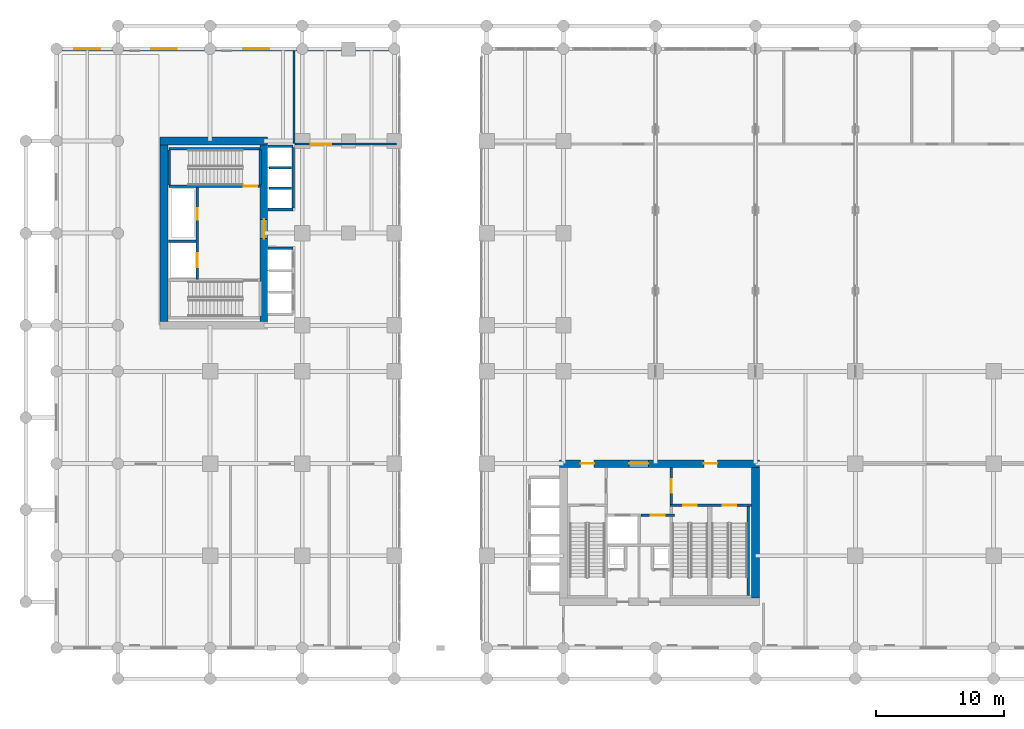
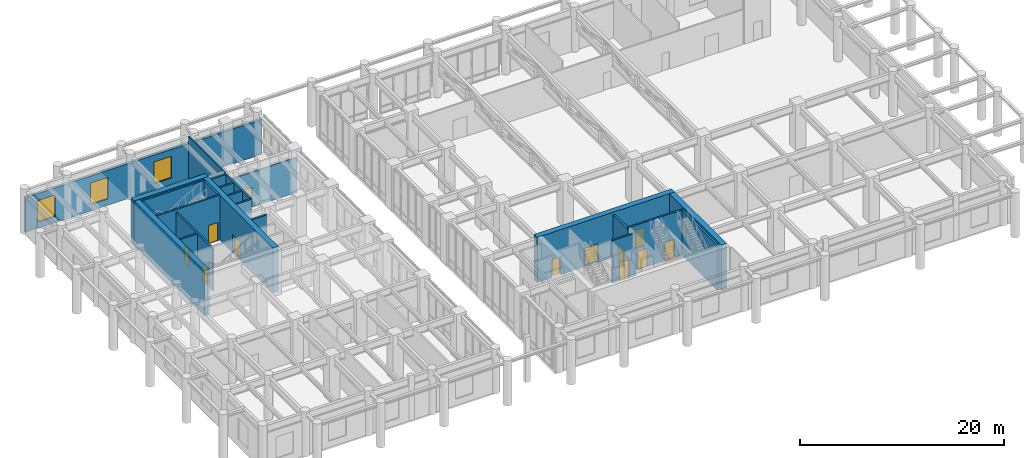
# One storey, part 18 of 24: 24 walls, 12 doors, 3 windows, 15 openings.
"""IFC4 building model written with IfcOpenShell, lengths in metres."""

from ifc_helpers import new_model, si_unit, derived_unit, direction, frame, frame_2d, origin, place, context, subcontext, project, spatial, rectangle, extrude, source, transform, mapped, material, layer, layer_set, type_object, type_shapes, element, fill, save


model = new_model("IFC4")

# Units and contexts
model_context = context("Model", 3, precision=1e-05, world=origin(), true_north=direction((0.0, 1.0)))
body_context = subcontext(model_context, "Body", "Model", "MODEL_VIEW")
ifc_project = project(units=[si_unit("LENGTHUNIT", "METRE"), si_unit("AREAUNIT", "SQUARE_METRE"), si_unit("VOLUMEUNIT", "CUBIC_METRE"), si_unit("PLANEANGLEUNIT", "RADIAN"), si_unit("MASSUNIT", "GRAM", prefix="KILO"), si_unit("THERMODYNAMICTEMPERATUREUNIT", "KELVIN"), si_unit("POWERUNIT", "WATT"), derived_unit("THERMALTRANSMITTANCEUNIT", [(si_unit("POWERUNIT", "WATT"), 1), (si_unit("AREAUNIT", "SQUARE_METRE"), -1), (si_unit("THERMODYNAMICTEMPERATUREUNIT", "KELVIN"), -1)])], contexts=[model_context])

# Site, building, storey
site_placement = place(None, origin())
site = spatial("IfcSite", under=ifc_project, at=site_placement, CompositionType="ELEMENT")
building_placement = place(site_placement, origin())
building = spatial("IfcBuilding", under=site, at=building_placement, Name="Zahravan Archway Hotel and Residences", CompositionType="ELEMENT")
storey_placement = place(building_placement, frame((0.0, 0.0, 10.800048828125)))
storey = spatial("IfcBuildingStorey", under=building, at=storey_placement, Name="L02", CompositionType="ELEMENT", Elevation=10.800048828125)

# Wall, openings, doors
ifc_material_1 = material(Name="Concrete C70/85", Category="concrete")
ifc_layer_1 = layer(ifc_material_1, 0.60009765625, Name="Concrete C70/85", Category="concrete")
ifc_layer_set_1 = layer_set([ifc_layer_1], Name="Concrete C70/85")
wall_type_1 = type_object("IfcWallType", Name="CW-CORE-600", PredefinedType="SHEAR", material=ifc_layer_set_1)
wall_1_placement = place(storey_placement, frame((34.5, 14.39990234375, 0.0), z_axis=(0.0, 0.0, 1.0), x_axis=(1.0, 0.0, 0.0)))
wall_1 = element("IfcWall", 1, at=wall_1_placement, inside=storey, type_object=wall_type_1, Name="L02 Core A Shear N Wall 600 mm", PredefinedType="SHEAR", context=body_context, shape_type="SweptSolid", body=[
    extrude(rectangle(XDim=15.60009765625, YDim=0.60009765625, at=frame_2d((7.800048828125, 0.0))), origin(), (0.0, 0.0, 1.0), 5.39990234375),
])
opening_1_placement = place(wall_1_placement, frame((5.429931640625, 0.0, 0.0)))
opening_1 = element("IfcOpeningElement", 2, at=opening_1_placement, cuts=wall_1, Name="Opening FD-L1", PredefinedType="OPENING", context=body_context, shape_type="SweptSolid", body=[
    extrude(rectangle(XDim=1.5, YDim=2.199951171875, at=frame_2d((0.75, 1.10009765625))), frame((0.0, 0.31005859375, 0.0), z_axis=(0.0, -1.0, 0.0), x_axis=(1.0, 0.0, 0.0)), (0.0, 0.0, 1.0), 0.6201171875),
])
opening_2_placement = place(wall_1_placement, frame((1.64501953125, 0.0, 0.0)))
opening_2 = element("IfcOpeningElement", 3, at=opening_2_placement, cuts=wall_1, Name="Opening FD-L2", PredefinedType="OPENING", context=body_context, shape_type="SweptSolid", body=[
    extrude(rectangle(XDim=1.050048828125, YDim=2.14990234375, at=frame_2d((0.52490234375, 1.074951171875))), frame((0.0, 0.31005859375, 0.0), z_axis=(0.0, -1.0, 0.0), x_axis=(1.0, 0.0, 0.0)), (0.0, 0.0, 1.0), 0.6201171875),
])
opening_3_placement = place(wall_1_placement, frame((11.27490234375, 0.0, 0.0)))
opening_3 = element("IfcOpeningElement", 4, at=opening_3_placement, cuts=wall_1, Name="Opening FD-L2", PredefinedType="OPENING", context=body_context, shape_type="SweptSolid", body=[
    extrude(rectangle(XDim=1.050048828125, YDim=2.14990234375, at=frame_2d((0.52490234375, 1.074951171875))), frame((0.0, 0.31005859375, 0.0), z_axis=(0.0, -1.0, 0.0), x_axis=(1.0, 0.0, 0.0)), (0.0, 0.0, 1.0), 0.6201171875),
])
ifc_material_2 = material(Name="Fire-Rated Painted Steel", Category="steel")
door_type_1 = type_object("IfcDoorType", Name="FD-LOBBY-1100", OperationType="NOTDEFINED", PredefinedType="DOOR", material=ifc_material_2)
shared_shape_1 = source(origin(), body_context, "Body", "SweptSolid", [
    extrude(rectangle(XDim=1.050048828125, YDim=2.14990234375, at=frame_2d((0.52490234375, 1.074951171875))), frame((0.0, 0.02490234375, 0.0), z_axis=(0.0, -1.0, 0.0), x_axis=(1.0, 0.0, 0.0)), (0.0, 0.0, 1.0), 0.050048828125),
])
type_shapes(door_type_1, [shared_shape_1])
door_1_placement = place(opening_2_placement, origin())
door_1 = element("IfcDoor", 5, at=door_1_placement, inside=storey, type_object=door_type_1, Name="L02 Core A West Stair Lobby Door", OperationType="SINGLE_SWING_LEFT", OverallHeight=2.14990234375, OverallWidth=1.050048828125, PredefinedType="DOOR", context=body_context, shape_type="MappedRepresentation", body=[
    mapped(shared_shape_1, transform((0.0, 0.0, 0.0), scale=1.0)),
])
fill(opening_2, door_1)
door_2_placement = place(opening_3_placement, origin())
door_2 = element("IfcDoor", 6, at=door_2_placement, inside=storey, type_object=door_type_1, Name="L02 Core A East Stair Lobby Door", OperationType="SINGLE_SWING_RIGHT", OverallHeight=2.14990234375, OverallWidth=1.050048828125, PredefinedType="DOOR", context=body_context, shape_type="MappedRepresentation", body=[
    mapped(shared_shape_1, transform((0.0, 0.0, 0.0), scale=1.0)),
])
fill(opening_3, door_2)
door_type_2 = type_object("IfcDoorType", Name="FD-LOBBY-1500", OperationType="DOUBLE_DOOR_SINGLE_SWING", PredefinedType="DOOR", material=ifc_material_2)
shared_shape_2 = source(origin(), body_context, "Body", "SweptSolid", [
    extrude(rectangle(XDim=1.5, YDim=2.199951171875, at=frame_2d((0.75, 1.10009765625))), frame((0.0, 0.02490234375, 0.0), z_axis=(0.0, -1.0, 0.0), x_axis=(1.0, 0.0, 0.0)), (0.0, 0.0, 1.0), 0.050048828125),
])
type_shapes(door_type_2, [shared_shape_2])
door_3_placement = place(opening_1_placement, origin())
door_3 = element("IfcDoor", 7, at=door_3_placement, inside=storey, type_object=door_type_2, Name="L02 Core A FSAE Lobby Main Door", OperationType="DOUBLE_DOOR_SINGLE_SWING", OverallHeight=2.199951171875, OverallWidth=1.5, PredefinedType="DOOR", context=body_context, shape_type="MappedRepresentation", body=[
    mapped(shared_shape_2, transform((0.0, 0.0, 0.0), scale=1.0)),
])
fill(opening_1, door_3)

# Walls
wall_2_placement = place(storey_placement, frame((49.800048828125, 3.89990234375, 0.0), z_axis=(0.0, 0.0, 1.0), x_axis=(0.0, 1.0, 0.0)))
element("IfcWall", 8, at=wall_2_placement, inside=storey, type_object=wall_type_1, Name="L02 Core A Shear E Wall 600 mm", PredefinedType="SHEAR", context=body_context, shape_type="SweptSolid", body=[
    extrude(rectangle(XDim=10.2001953125, YDim=0.60009765625, at=frame_2d((5.10009765625, 0.0))), origin(), (0.0, 0.0, 1.0), 5.39990234375),
])
wall_3_placement = place(storey_placement, frame((3.300048828125, 39.60009765625, 0.0), z_axis=(0.0, 0.0, 1.0), x_axis=(1.0, 0.0, 0.0)))
element("IfcWall", 9, at=wall_3_placement, inside=storey, type_object=wall_type_1, Name="L02 Core B Shear N Wall 600 mm", PredefinedType="SHEAR", context=body_context, shape_type="SweptSolid", body=[
    extrude(rectangle(XDim=8.39990234375, YDim=0.60009765625, at=frame_2d((4.199951171875, 0.0))), origin(), (0.0, 0.0, 1.0), 5.39990234375),
])
wall_4_placement = place(storey_placement, frame((3.60009765625, 25.5, 0.0), z_axis=(0.0, 0.0, 1.0), x_axis=(0.0, 1.0, 0.0)))
element("IfcWall", 10, at=wall_4_placement, inside=storey, type_object=wall_type_1, Name="L02 Core B Shear W Wall 600 mm", PredefinedType="SHEAR", context=body_context, shape_type="SweptSolid", body=[
    extrude(rectangle(XDim=13.800048828125, YDim=0.60009765625, at=frame_2d((6.89990234375, 0.0))), origin(), (0.0, 0.0, 1.0), 5.39990234375),
])

# Wall, opening, door
wall_5_placement = place(storey_placement, frame((11.39990234375, 25.5, 0.0), z_axis=(0.0, 0.0, 1.0), x_axis=(0.0, 1.0, 0.0)))
wall_5 = element("IfcWall", 11, at=wall_5_placement, inside=storey, type_object=wall_type_1, Name="L02 Core B Shear E Wall 600 mm", PredefinedType="SHEAR", context=body_context, shape_type="SweptSolid", body=[
    extrude(rectangle(XDim=13.800048828125, YDim=0.60009765625, at=frame_2d((6.89990234375, 0.0))), origin(), (0.0, 0.0, 1.0), 5.39990234375),
])
opening_4_placement = place(wall_5_placement, frame((6.469970703125, 0.0, 0.0)))
opening_4 = element("IfcOpeningElement", 12, at=opening_4_placement, cuts=wall_5, Name="Opening FD-L1", PredefinedType="OPENING", context=body_context, shape_type="SweptSolid", body=[
    extrude(rectangle(XDim=1.5, YDim=2.199951171875, at=frame_2d((0.75, 1.10009765625))), frame((0.0, 0.31005859375, 0.0), z_axis=(0.0, -1.0, 0.0), x_axis=(1.0, 0.0, 0.0)), (0.0, 0.0, 1.0), 0.6201171875),
])
door_4_placement = place(opening_4_placement, origin())
door_4 = element("IfcDoor", 13, at=door_4_placement, inside=storey, type_object=door_type_2, Name="L02 Core B FSAE Lobby Door", OperationType="DOUBLE_DOOR_SINGLE_SWING", OverallHeight=2.199951171875, OverallWidth=1.5, PredefinedType="DOOR", context=body_context, shape_type="MappedRepresentation", body=[
    mapped(shared_shape_2, transform((0.0, 0.0, 0.0), scale=1.0)),
])
fill(opening_4, door_4)

# Wall, openings, windows
ifc_material_3 = material(Name="Agra Buff Sandstone & Insulated Backup", Category="masonry")
ifc_layer_2 = layer(ifc_material_3, 0.320068359375, Name="Agra Buff Sandstone & Insulated Backup", Category="masonry")
ifc_layer_set_2 = layer_set([ifc_layer_2], Name="Agra Buff Sandstone & Insulated Backup")
wall_type_2 = type_object("IfcWallType", Name="EW-SAND-320", PredefinedType="SOLIDWALL", material=ifc_layer_set_2)
wall_6_placement = place(storey_placement, frame((-4.800048828125, 46.800048828125, 0.0), z_axis=(0.0, 0.0, 1.0), x_axis=(1.0, 0.0, 0.0)))
wall_6 = element("IfcWall", 14, at=wall_6_placement, inside=storey, type_object=wall_type_2, Name="L02 Podium Sandstone NW Wall", PredefinedType="SOLIDWALL", context=body_context, shape_type="SweptSolid", body=[
    extrude(rectangle(XDim=26.85009765625, YDim=0.320068359375, at=frame_2d((13.425048828125, 0.0))), origin(), (0.0, 0.0, 1.0), 4.18505859375),
])
opening_5_placement = place(wall_6_placement, frame((1.39990234375, 0.0, 0.75)))
opening_5 = element("IfcOpeningElement", 15, at=opening_5_placement, cuts=wall_6, Name="Opening W-01", PredefinedType="OPENING", context=body_context, shape_type="SweptSolid", body=[
    extrude(rectangle(XDim=2.0, YDim=2.60009765625, at=frame_2d((1.0, 1.300048828125))), frame((0.0, 0.169921875, 0.0), z_axis=(0.0, -1.0, 0.0), x_axis=(1.0, 0.0, 0.0)), (0.0, 0.0, 1.0), 0.340087890625),
])
opening_6_placement = place(wall_6_placement, frame((7.39990234375, 0.0, 0.75)))
opening_6 = element("IfcOpeningElement", 16, at=opening_6_placement, cuts=wall_6, Name="Opening W-01", PredefinedType="OPENING", context=body_context, shape_type="SweptSolid", body=[
    extrude(rectangle(XDim=2.0, YDim=2.60009765625, at=frame_2d((1.0, 1.300048828125))), frame((0.0, 0.169921875, 0.0), z_axis=(0.0, -1.0, 0.0), x_axis=(1.0, 0.0, 0.0)), (0.0, 0.0, 1.0), 0.340087890625),
])
opening_7_placement = place(wall_6_placement, frame((14.60009765625, 0.0, 0.75)))
opening_7 = element("IfcOpeningElement", 17, at=opening_7_placement, cuts=wall_6, Name="Opening W-01", PredefinedType="OPENING", context=body_context, shape_type="SweptSolid", body=[
    extrude(rectangle(XDim=2.0, YDim=2.60009765625, at=frame_2d((1.0, 1.300048828125))), frame((0.0, 0.169921875, 0.0), z_axis=(0.0, -1.0, 0.0), x_axis=(1.0, 0.0, 0.0)), (0.0, 0.0, 1.0), 0.340087890625),
])
ifc_material_4 = material(Name="Bronze-Anodized Thermal-Break Aluminium & Low-E Glass", Category="aluminium")
window_type = type_object("IfcWindowType", Name="WIN-ARC-2000", PartitioningType="DOUBLE_PANEL_VERTICAL", PredefinedType="WINDOW", material=ifc_material_4)
shared_shape_3 = source(origin(), body_context, "Body", "SweptSolid", [
    extrude(rectangle(XDim=2.0, YDim=2.60009765625, at=frame_2d((1.0, 1.300048828125))), frame((0.0, 0.030029296875, 0.0), z_axis=(0.0, -1.0, 0.0), x_axis=(1.0, 0.0, 0.0)), (0.0, 0.0, 1.0), 0.06005859375),
])
type_shapes(window_type, [shared_shape_3])
window_1_placement = place(opening_5_placement, origin())
window_1 = element("IfcWindow", 18, at=window_1_placement, inside=storey, type_object=window_type, Name="L02 Podium Mughal Arch Window 13", OverallHeight=2.60009765625, OverallWidth=2.0, PartitioningType="DOUBLE_PANEL_VERTICAL", PredefinedType="WINDOW", context=body_context, shape_type="MappedRepresentation", body=[
    mapped(shared_shape_3, transform((0.0, 0.0, 0.0), scale=1.0)),
])
fill(opening_5, window_1)
window_2_placement = place(opening_6_placement, origin())
window_2 = element("IfcWindow", 19, at=window_2_placement, inside=storey, type_object=window_type, Name="L02 Podium Mughal Arch Window 14", OverallHeight=2.60009765625, OverallWidth=2.0, PartitioningType="DOUBLE_PANEL_VERTICAL", PredefinedType="WINDOW", context=body_context, shape_type="MappedRepresentation", body=[
    mapped(shared_shape_3, transform((0.0, 0.0, 0.0), scale=1.0)),
])
fill(opening_6, window_2)
window_3_placement = place(opening_7_placement, origin())
window_3 = element("IfcWindow", 20, at=window_3_placement, inside=storey, type_object=window_type, Name="L02 Podium Mughal Arch Window 15", OverallHeight=2.60009765625, OverallWidth=2.0, PartitioningType="DOUBLE_PANEL_VERTICAL", PredefinedType="WINDOW", context=body_context, shape_type="MappedRepresentation", body=[
    mapped(shared_shape_3, transform((0.0, 0.0, 0.0), scale=1.0)),
])
fill(opening_7, window_3)

# Wall, opening, door
ifc_material_5 = material(Name="Fire-Rated Gypsum & Concrete Block", Category="concrete")
ifc_layer_3 = layer(ifc_material_5, 0.219970703125, Name="Fire-Rated Gypsum & Concrete Block", Category="concrete")
ifc_layer_set_3 = layer_set([ifc_layer_3], Name="Fire-Rated Gypsum & Concrete Block")
wall_type_3 = type_object("IfcWallType", Name="PW-COMP-220", PredefinedType="PARTITIONING", material=ifc_layer_set_3)
wall_7_placement = place(storey_placement, frame((43.219970703125, 11.219970703125, 0.0), z_axis=(0.0, 0.0, 1.0), x_axis=(0.0, 1.0, 0.0)))
wall_7 = element("IfcWall", 21, at=wall_7_placement, inside=storey, type_object=wall_type_3, Name="L02 Partition CA-LOBE", PredefinedType="PARTITIONING", context=body_context, shape_type="SweptSolid", body=[
    extrude(rectangle(XDim=2.860107421875, YDim=0.219970703125, at=frame_2d((1.43017578125, 0.0))), origin(), (0.0, 0.0, 1.0), 5.099853515625),
])
opening_8_placement = place(wall_7_placement, frame((0.905029296875, 0.0, 0.0)))
opening_8 = element("IfcOpeningElement", 22, at=opening_8_placement, cuts=wall_7, Name="Opening FD-L2", PredefinedType="OPENING", context=body_context, shape_type="SweptSolid", body=[
    extrude(rectangle(XDim=1.050048828125, YDim=2.14990234375, at=frame_2d((0.52490234375, 1.074951171875))), frame((0.0, 0.1201171875, 0.0), z_axis=(0.0, -1.0, 0.0), x_axis=(1.0, 0.0, 0.0)), (0.0, 0.0, 1.0), 0.239990234375),
])
door_5_placement = place(opening_8_placement, origin())
door_5 = element("IfcDoor", 23, at=door_5_placement, inside=storey, type_object=door_type_1, Name="L02 Core A East Stair to FSAE Lobby Door", OperationType="SINGLE_SWING_RIGHT", OverallHeight=2.14990234375, OverallWidth=1.050048828125, PredefinedType="DOOR", context=body_context, shape_type="MappedRepresentation", body=[
    mapped(shared_shape_1, transform((0.0, 0.0, 0.0), scale=1.0)),
])
fill(opening_8, door_5)

ifc_layer_4 = layer(ifc_material_5, 0.159912109375, Name="Fire-Rated Gypsum & Concrete Block", Category="concrete")
ifc_layer_set_4 = layer_set([ifc_layer_4], Name="Fire-Rated Gypsum & Concrete Block")
wall_type_4 = type_object("IfcWallType", Name="PW-CORR-160", PredefinedType="PARTITIONING", material=ifc_layer_set_4)
wall_8_placement = place(storey_placement, frame((13.840087890625, 39.35009765625, 0.0), z_axis=(0.0, 0.0, 1.0), x_axis=(1.0, 0.0, 0.0)))
wall_8 = element("IfcWall", 24, at=wall_8_placement, inside=storey, type_object=wall_type_4, Name="L02 Partition L02-GNW0", PredefinedType="PARTITIONING", context=body_context, shape_type="SweptSolid", body=[
    extrude(rectangle(XDim=7.919921875, YDim=0.159912109375, at=frame_2d((3.9599609375, 0.0))), origin(), (0.0, 0.0, 1.0), 4.18505859375),
])
opening_9_placement = place(wall_8_placement, frame((1.219970703125, 0.0, 0.0)))
opening_9 = element("IfcOpeningElement", 25, at=opening_9_placement, cuts=wall_8, Name="Opening D-P2", PredefinedType="OPENING", context=body_context, shape_type="SweptSolid", body=[
    extrude(rectangle(XDim=1.60009765625, YDim=2.39990234375, at=frame_2d((0.800048828125, 1.199951171875))), frame((0.0, 0.08984375, 0.0), z_axis=(0.0, -1.0, 0.0), x_axis=(1.0, 0.0, 0.0)), (0.0, 0.0, 1.0), 0.179931640625),
])
ifc_material_6 = material(Name="Bronze-Anodized Glazed Aluminium", Category="aluminium")
door_type_3 = type_object("IfcDoorType", Name="ID-PUBLIC-1600", OperationType="DOUBLE_DOOR_SINGLE_SWING", PredefinedType="DOOR", material=ifc_material_6)
shared_shape_4 = source(origin(), body_context, "Body", "SweptSolid", [
    extrude(rectangle(XDim=1.60009765625, YDim=2.39990234375, at=frame_2d((0.800048828125, 1.199951171875))), frame((0.0, 0.02490234375, 0.0), z_axis=(0.0, -1.0, 0.0), x_axis=(1.0, 0.0, 0.0)), (0.0, 0.0, 1.0), 0.050048828125),
])
type_shapes(door_type_3, [shared_shape_4])
door_6_placement = place(opening_9_placement, origin())
door_6 = element("IfcDoor", 26, at=door_6_placement, inside=storey, type_object=door_type_3, Name="L02 Zahravan Mughal Fine Dining Restaurant Door", OperationType="DOUBLE_DOOR_SINGLE_SWING", OverallHeight=2.39990234375, OverallWidth=1.60009765625, PredefinedType="DOOR", context=body_context, shape_type="MappedRepresentation", body=[
    mapped(shared_shape_4, transform((0.0, 0.0, 0.0), scale=1.0)),
])
fill(opening_9, door_6)

# Wall, openings, doors
ifc_layer_5 = layer(ifc_material_5, 0.199951171875, Name="Fire-Rated Gypsum & Concrete Block", Category="concrete")
ifc_layer_set_5 = layer_set([ifc_layer_5], Name="Fire-Rated Gypsum & Concrete Block")
wall_type_5 = type_object("IfcWallType", Name="PW-SHAFT-200", PredefinedType="PARTITIONING", material=ifc_layer_set_5)
wall_9_placement = place(storey_placement, frame((6.199951171875, 28.7900390625, 0.0), z_axis=(0.0, 0.0, 1.0), x_axis=(0.0, 1.0, 0.0)))
wall_9 = element("IfcWall", 27, at=wall_9_placement, inside=storey, type_object=wall_type_5, Name="L02 Partition CB-FL3E", PredefinedType="PARTITIONING", context=body_context, shape_type="SweptSolid", body=[
    extrude(rectangle(XDim=7.219970703125, YDim=0.199951171875, at=frame_2d((3.60986328125, 0.0))), origin(), (0.0, 0.0, 1.0), 5.099853515625),
])
opening_10_placement = place(wall_9_placement, frame((4.659912109375, 0.0, 0.0)))
opening_10 = element("IfcOpeningElement", 28, at=opening_10_placement, cuts=wall_9, Name="Opening FD-R1", PredefinedType="OPENING", context=body_context, shape_type="SweptSolid", body=[
    extrude(rectangle(XDim=0.89990234375, YDim=2.10009765625, at=frame_2d((0.449951171875, 1.050048828125))), frame((0.0, 0.10986328125, 0.0), z_axis=(0.0, -1.0, 0.0), x_axis=(1.0, 0.0, 0.0)), (0.0, 0.0, 1.0), 0.219970703125),
])
opening_11_placement = place(wall_9_placement, frame((0.9599609375, 0.0, 0.0)))
opening_11 = element("IfcOpeningElement", 29, at=opening_11_placement, cuts=wall_9, Name="Opening LD", PredefinedType="OPENING", context=body_context, shape_type="SweptSolid", body=[
    extrude(rectangle(XDim=1.10009765625, YDim=2.199951171875, at=frame_2d((0.550048828125, 1.10009765625))), frame((0.0, 0.10986328125, 0.0), z_axis=(0.0, -1.0, 0.0), x_axis=(1.0, 0.0, 0.0)), (0.0, 0.0, 1.0), 0.219970703125),
])
door_type_4 = type_object("IfcDoorType", Name="FD-RISER-900", OperationType="NOTDEFINED", PredefinedType="DOOR", material=ifc_material_2)
shared_shape_5 = source(origin(), body_context, "Body", "SweptSolid", [
    extrude(rectangle(XDim=0.89990234375, YDim=2.10009765625, at=frame_2d((0.449951171875, 1.050048828125))), frame((0.0, 0.02490234375, 0.0), z_axis=(0.0, -1.0, 0.0), x_axis=(1.0, 0.0, 0.0)), (0.0, 0.0, 1.0), 0.050048828125),
])
type_shapes(door_type_4, [shared_shape_5])
door_7_placement = place(opening_10_placement, origin())
door_7 = element("IfcDoor", 30, at=door_7_placement, inside=storey, type_object=door_type_4, Name="L02 Core B Riser Door", OperationType="SINGLE_SWING_LEFT", OverallHeight=2.10009765625, OverallWidth=0.89990234375, PredefinedType="DOOR", context=body_context, shape_type="MappedRepresentation", body=[
    mapped(shared_shape_5, transform((0.0, 0.0, 0.0), scale=1.0)),
])
fill(opening_10, door_7)
ifc_material_7 = material(Name="Brushed Stainless Steel", Category="steel")
door_type_5 = type_object("IfcDoorType", Name="DR-LIFT-LD", OperationType="SLIDING_TO_LEFT", PredefinedType="DOOR", material=ifc_material_7)
shared_shape_6 = source(origin(), body_context, "Body", "SweptSolid", [
    extrude(rectangle(XDim=1.10009765625, YDim=2.199951171875, at=frame_2d((0.550048828125, 1.10009765625))), frame((0.0, 0.02490234375, 0.0), z_axis=(0.0, -1.0, 0.0), x_axis=(1.0, 0.0, 0.0)), (0.0, 0.0, 1.0), 0.050048828125),
])
type_shapes(door_type_5, [shared_shape_6])
door_8_placement = place(opening_11_placement, origin())
door_8 = element("IfcDoor", 31, at=door_8_placement, inside=storey, type_object=door_type_5, Name="L02 Lift FL-3 Sliding Landing Door", OperationType="SLIDING_TO_LEFT", OverallHeight=2.199951171875, OverallWidth=1.10009765625, PredefinedType="DOOR", context=body_context, shape_type="MappedRepresentation", body=[
    mapped(shared_shape_6, transform((0.0, 0.0, 0.0), scale=1.0)),
])
fill(opening_11, door_8)

# Walls
wall_10_placement = place(storey_placement, frame((3.9599609375, 31.780029296875, 0.0), z_axis=(0.0, 0.0, 1.0), x_axis=(1.0, 0.0, 0.0)))
element("IfcWall", 32, at=wall_10_placement, inside=storey, type_object=wall_type_5, Name="L02 Partition CB-FL3N", PredefinedType="PARTITIONING", context=body_context, shape_type="SweptSolid", body=[
    extrude(rectangle(XDim=2.130126953125, YDim=0.199951171875, at=frame_2d((1.06494140625, 0.0))), origin(), (0.0, 0.0, 1.0), 5.099853515625),
])
for number, where, z_axis, x_axis, name in (
    (33, (11.7099609375, 31.2099609375, 0.0), (0.0, 0.0, 1.0), (1.0, 0.0, 0.0), "L02 Partition B1-N"),
    (34, (11.7099609375, 34.25, 0.0), (0.0, 0.0, 1.0), (1.0, 0.0, 0.0), "L02 Partition B2-S"),
    (35, (11.7099609375, 39.18994140625, 0.0), (0.0, 0.0, 1.0), (1.0, 0.0, 0.0), "L02 Partition B2-N"),
):
    element("IfcWall", number, at=place(storey_placement, frame(where, z_axis=z_axis, x_axis=x_axis)), inside=storey, type_object=wall_type_5, Name=name, PredefinedType="PARTITIONING", context=body_context, shape_type="SweptSolid", body=[
        extrude(rectangle(XDim=1.9599609375, YDim=0.199951171875, at=frame_2d((0.97998046875, 0.0))), origin(), (0.0, 0.0, 1.0), 5.099853515625),
    ])
wall_11_placement = place(storey_placement, frame((13.679931640625, 34.360107421875, 0.0), z_axis=(0.0, 0.0, 1.0), x_axis=(0.0, 1.0, 0.0)))
element("IfcWall", 36, at=wall_11_placement, inside=storey, type_object=wall_type_5, Name="L02 Partition B2-E", PredefinedType="PARTITIONING", context=body_context, shape_type="SweptSolid", body=[
    extrude(rectangle(XDim=4.719970703125, YDim=0.199951171875, at=frame_2d((2.35986328125, 0.0))), origin(), (0.0, 0.0, 1.0), 5.099853515625),
])
for number, where, z_axis, x_axis, name in (
    (37, (11.81005859375, 35.919921875, 0.0), (0.0, 0.0, 1.0), (1.0, 0.0, 0.0), "L02 Partition B2-D"),
    (38, (11.81005859375, 37.52001953125, 0.0), (0.0, 0.0, 1.0), (1.0, 0.0, 0.0), "L02 Partition B2-D"),
):
    element("IfcWall", number, at=place(storey_placement, frame(where, z_axis=z_axis, x_axis=x_axis)), inside=storey, type_object=wall_type_5, Name=name, PredefinedType="PARTITIONING", context=body_context, shape_type="SweptSolid", body=[
        extrude(rectangle(XDim=1.760009765625, YDim=0.199951171875, at=frame_2d((0.8798828125, 0.0))), origin(), (0.0, 0.0, 1.0), 5.099853515625),
    ])

# Wall, opening, door
wall_12_placement = place(storey_placement, frame((40.840087890625, 10.3701171875, 0.0), z_axis=(0.0, 0.0, 1.0), x_axis=(1.0, 0.0, 0.0)))
wall_12 = element("IfcWall", 39, at=wall_12_placement, inside=storey, type_object=wall_type_5, Name="L02 Lift FL-2 Front Wall", PredefinedType="PARTITIONING", context=body_context, shape_type="SweptSolid", body=[
    extrude(rectangle(XDim=2.639892578125, YDim=0.199951171875, at=frame_2d((1.31982421875, 0.0))), origin(), (0.0, 0.0, 1.0), 5.099853515625),
])
opening_12_placement = place(wall_12_placement, frame((0.77001953125, 0.0, 0.0)))
opening_12 = element("IfcOpeningElement", 40, at=opening_12_placement, cuts=wall_12, Name="Opening LD", PredefinedType="OPENING", context=body_context, shape_type="SweptSolid", body=[
    extrude(rectangle(XDim=1.10009765625, YDim=2.199951171875, at=frame_2d((0.550048828125, 1.10009765625))), frame((0.0, 0.10986328125, 0.0), z_axis=(0.0, -1.0, 0.0), x_axis=(1.0, 0.0, 0.0)), (0.0, 0.0, 1.0), 0.219970703125),
])
door_9_placement = place(opening_12_placement, origin())
door_9 = element("IfcDoor", 41, at=door_9_placement, inside=storey, type_object=door_type_5, Name="L02 Lift FL-2 Sliding Landing Door", OperationType="SLIDING_TO_LEFT", OverallHeight=2.199951171875, OverallWidth=1.10009765625, PredefinedType="DOOR", context=body_context, shape_type="MappedRepresentation", body=[
    mapped(shared_shape_6, transform((0.0, 0.0, 0.0), scale=1.0)),
])
fill(opening_12, door_9)

# Walls
ifc_material_8 = material(Name="Moisture-Resistant Blockwork", Category="masonry")
ifc_layer_6 = layer(ifc_material_8, 0.139892578125, Name="Moisture-Resistant Blockwork", Category="masonry")
ifc_layer_set_6 = layer_set([ifc_layer_6], Name="Moisture-Resistant Blockwork")
wall_type_6 = type_object("IfcWallType", Name="PW-WET-140", PredefinedType="PARTITIONING", material=ifc_layer_set_6)
wall_13_placement = place(storey_placement, frame((13.75, 39.43994140625, 0.0), z_axis=(0.0, 0.0, 1.0), x_axis=(0.0, 1.0, 0.0)))
element("IfcWall", 42, at=wall_13_placement, inside=storey, type_object=wall_type_6, Name="L02 Partition L02-GNW", PredefinedType="PARTITIONING", context=body_context, shape_type="SweptSolid", body=[
    extrude(rectangle(XDim=7.192138671875, YDim=0.139892578125, at=frame_2d((3.59619140625, 0.0))), origin(), (0.0, 0.0, 1.0), 5.099853515625),
])
ifc_material_9 = material(Name="Concrete C50/60", Category="concrete")
ifc_layer_7 = layer(ifc_material_9, 0.199951171875, Name="Concrete C50/60", Category="concrete")
ifc_layer_set_7 = layer_set([ifc_layer_7], Name="Concrete C50/60")
wall_type_7 = type_object("IfcWallType", Name="SW-STAIR-200", PredefinedType="SHEAR", material=ifc_layer_set_7)
wall_14_placement = place(storey_placement, frame((49.239990234375, 4.10009765625, 0.0), z_axis=(0.0, 0.0, 1.0), x_axis=(0.0, 1.0, 0.0)))
element("IfcWall", 43, at=wall_14_placement, inside=storey, type_object=wall_type_7, Name="L02 Stairwell RC Wall CA-SA3E", PredefinedType="SHEAR", context=body_context, shape_type="SweptSolid", body=[
    extrude(rectangle(XDim=6.949951171875, YDim=0.199951171875, at=frame_2d((3.47509765625, 0.0))), origin(), (0.0, 0.0, 1.0), 5.39990234375),
])

# Wall, openings, doors
wall_15_placement = place(storey_placement, frame((43.1201171875, 11.14990234375, 0.0), z_axis=(0.0, 0.0, 1.0), x_axis=(1.0, 0.0, 0.0)))
wall_15 = element("IfcWall", 44, at=wall_15_placement, inside=storey, type_object=wall_type_7, Name="L02 Stairwell RC Wall CA-SA23N", PredefinedType="SHEAR", context=body_context, shape_type="SweptSolid", body=[
    extrude(rectangle(XDim=6.3798828125, YDim=0.199951171875, at=frame_2d((3.18994140625, 0.0))), origin(), (0.0, 0.0, 1.0), 5.39990234375),
])
opening_13_placement = place(wall_15_placement, frame((1.044921875, 0.0, 0.0)))
opening_13 = element("IfcOpeningElement", 45, at=opening_13_placement, cuts=wall_15, Name="Opening FD-S1", PredefinedType="OPENING", context=body_context, shape_type="SweptSolid", body=[
    extrude(rectangle(XDim=1.050048828125, YDim=2.199951171875, at=frame_2d((0.52490234375, 1.10009765625))), frame((0.0, 0.10986328125, 0.0), z_axis=(0.0, -1.0, 0.0), x_axis=(1.0, 0.0, 0.0)), (0.0, 0.0, 1.0), 0.219970703125),
])
opening_14_placement = place(wall_15_placement, frame((4.125, 0.0, 0.0)))
opening_14 = element("IfcOpeningElement", 46, at=opening_14_placement, cuts=wall_15, Name="Opening FD-S1", PredefinedType="OPENING", context=body_context, shape_type="SweptSolid", body=[
    extrude(rectangle(XDim=1.050048828125, YDim=2.199951171875, at=frame_2d((0.52490234375, 1.10009765625))), frame((0.0, 0.10986328125, 0.0), z_axis=(0.0, -1.0, 0.0), x_axis=(1.0, 0.0, 0.0)), (0.0, 0.0, 1.0), 0.219970703125),
])
door_type_6 = type_object("IfcDoorType", Name="FD-STAIR-1100", OperationType="NOTDEFINED", PredefinedType="DOOR", material=ifc_material_2)
shared_shape_7 = source(origin(), body_context, "Body", "SweptSolid", [
    extrude(rectangle(XDim=1.050048828125, YDim=2.199951171875, at=frame_2d((0.52490234375, 1.10009765625))), frame((0.0, 0.02490234375, 0.0), z_axis=(0.0, -1.0, 0.0), x_axis=(1.0, 0.0, 0.0)), (0.0, 0.0, 1.0), 0.050048828125),
])
type_shapes(door_type_6, [shared_shape_7])
door_10_placement = place(opening_13_placement, origin())
door_10 = element("IfcDoor", 47, at=door_10_placement, inside=storey, type_object=door_type_6, Name="L02 Stair ST-A2 Door", OperationType="SINGLE_SWING_LEFT", OverallHeight=2.199951171875, OverallWidth=1.050048828125, PredefinedType="DOOR", context=body_context, shape_type="MappedRepresentation", body=[
    mapped(shared_shape_7, transform((0.0, 0.0, 0.0), scale=1.0)),
])
fill(opening_13, door_10)
door_11_placement = place(opening_14_placement, origin())
door_11 = element("IfcDoor", 48, at=door_11_placement, inside=storey, type_object=door_type_6, Name="L02 Stair ST-A3 Door", OperationType="SINGLE_SWING_RIGHT", OverallHeight=2.199951171875, OverallWidth=1.050048828125, PredefinedType="DOOR", context=body_context, shape_type="MappedRepresentation", body=[
    mapped(shared_shape_7, transform((0.0, 0.0, 0.0), scale=1.0)),
])
fill(opening_14, door_11)

# Walls
wall_16_placement = place(storey_placement, frame((4.0, 39.0, 0.0), z_axis=(0.0, 0.0, 1.0), x_axis=(1.0, 0.0, 0.0)))
element("IfcWall", 49, at=wall_16_placement, inside=storey, type_object=wall_type_7, Name="L02 Stairwell RC Wall CB-SB2N", PredefinedType="SHEAR", context=body_context, shape_type="SweptSolid", body=[
    extrude(rectangle(XDim=7.10009765625, YDim=0.199951171875, at=frame_2d((3.550048828125, 0.0))), origin(), (0.0, 0.0, 1.0), 5.39990234375),
])
for number, where, z_axis, x_axis, name in (
    (50, (4.0, 36.179931640625, 0.0), (0.0, 0.0, 1.0), (0.0, 1.0, 0.0), "L02 Stairwell RC Wall CB-SB2W"),
    (51, (11.10009765625, 36.179931640625, 0.0), (0.0, 0.0, 1.0), (0.0, 1.0, 0.0), "L02 Stairwell RC Wall CB-SB2E"),
):
    element("IfcWall", number, at=place(storey_placement, frame(where, z_axis=z_axis, x_axis=x_axis)), inside=storey, type_object=wall_type_7, Name=name, PredefinedType="SHEAR", context=body_context, shape_type="SweptSolid", body=[
        extrude(rectangle(XDim=2.699951171875, YDim=0.199951171875, at=frame_2d((1.35009765625, 0.0))), origin(), (0.0, 0.0, 1.0), 5.39990234375),
    ])

# Wall, opening, door
wall_17_placement = place(storey_placement, frame((4.0, 36.06005859375, 0.0), z_axis=(0.0, 0.0, 1.0), x_axis=(1.0, 0.0, 0.0)))
wall_17 = element("IfcWall", 52, at=wall_17_placement, inside=storey, type_object=wall_type_7, Name="L02 Stairwell RC Wall CB-SB2S", PredefinedType="SHEAR", context=body_context, shape_type="SweptSolid", body=[
    extrude(rectangle(XDim=7.10009765625, YDim=0.199951171875, at=frame_2d((3.550048828125, 0.0))), origin(), (0.0, 0.0, 1.0), 5.39990234375),
])
opening_15_placement = place(wall_17_placement, frame((5.81494140625, 0.0, 0.0)))
opening_15 = element("IfcOpeningElement", 53, at=opening_15_placement, cuts=wall_17, Name="Opening FD-S1", PredefinedType="OPENING", context=body_context, shape_type="SweptSolid", body=[
    extrude(rectangle(XDim=1.050048828125, YDim=2.199951171875, at=frame_2d((0.52490234375, 1.10009765625))), frame((0.0, 0.10986328125, 0.0), z_axis=(0.0, -1.0, 0.0), x_axis=(1.0, 0.0, 0.0)), (0.0, 0.0, 1.0), 0.219970703125),
])
door_12_placement = place(opening_15_placement, origin())
door_12 = element("IfcDoor", 54, at=door_12_placement, inside=storey, type_object=door_type_6, Name="L02 Stair ST-B2 Door", OperationType="SINGLE_SWING_RIGHT", OverallHeight=2.199951171875, OverallWidth=1.050048828125, PredefinedType="DOOR", context=body_context, shape_type="MappedRepresentation", body=[
    mapped(shared_shape_7, transform((0.0, 0.0, 0.0), scale=1.0)),
])
fill(opening_15, door_12)

save(model, "model.ifc")
